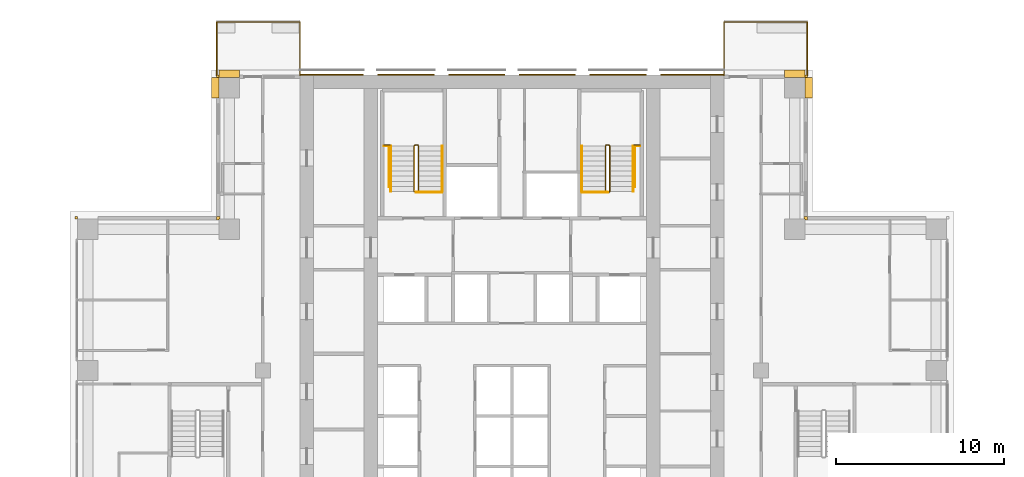
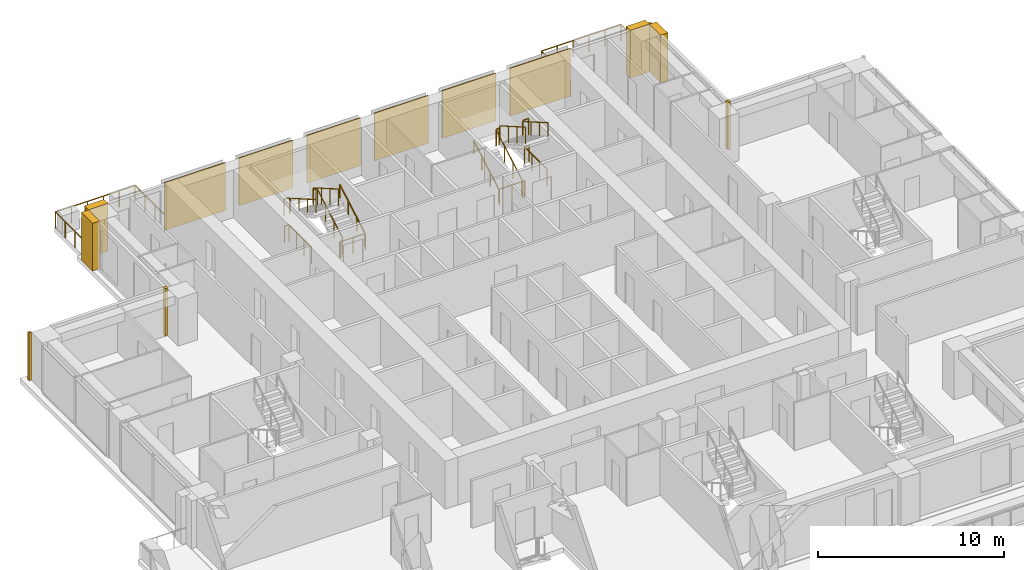
# One storey, part 17 of 18: 15 coverings, 14 railings.
"""IFC4 building model written with IfcOpenShell, lengths in metres."""

import ifcopenshell
import ifcopenshell.guid

model = None  # the IFC model being written
_history = None  # IfcOwnerHistory: only IFC2X3 demands one
_inside = {}  # id of a spatial element -> (the spatial element, [elements in it])
_under = {}  # id of a project, library or spatial element -> (it, [spatial elements below it])
_declared = {}  # id of a project -> (the project, [libraries it declares])
_typed = {}  # id of a type object -> (the type object, [elements of that type])
_made_of = {}  # id of a material, layer set ... -> (it, [elements and type objects made of it])


def new_model(schema):
    """Start an empty IFC model of exactly this schema.

    Asked for "IFC4X3", IfcOpenShell would pick the latest addendum, in which some entities
    have other attributes; the version numbers below select the first issue.
    IFC2X3 requires an IfcOwnerHistory on every rooted entity: one is made here for all.
    """
    global model, _history
    if schema == "IFC4X3":
        model = ifcopenshell.file(schema_version=(4, 3, 0, 0))
    else:
        model = ifcopenshell.file(schema=schema)
    _inside.clear()
    _under.clear()
    _declared.clear()
    _typed.clear()
    _made_of.clear()
    _history = None
    if model.schema == "IFC2X3":
        org = make("IfcOrganization", Name="unknown")
        user = make(
            "IfcPersonAndOrganization",
            ThePerson=make("IfcPerson", FamilyName="unknown"),
            TheOrganization=org,
        )
        app = make(
            "IfcApplication",
            ApplicationDeveloper=org,
            Version="unknown",
            ApplicationFullName="unknown",
            ApplicationIdentifier="unknown",
        )
        _history = make(
            "IfcOwnerHistory",
            OwningUser=user,
            OwningApplication=app,
            ChangeAction="ADDED",
            CreationDate=0,
        )
    return model


def make(cls, **values):
    """One entity of the class cls with the attributes given. An attribute that is None is left unset."""
    return model.create_entity(
        cls, **{name: value for name, value in values.items() if value is not None}
    )


def rooted(cls, **values):
    """An entity with a GlobalId (a new one), such as an element, a storey or a relation."""
    return make(cls, GlobalId=ifcopenshell.guid.new(), OwnerHistory=_history, **values)


def si_unit(unit_type, name, prefix=None):
    """IfcSIUnit, for example si_unit("LENGTHUNIT", "METRE", prefix="MILLI")."""
    return make("IfcSIUnit", UnitType=unit_type, Prefix=prefix, Name=name)


def assignment(units):
    """IfcUnitAssignment: the units of a project."""
    return None if units is None else make("IfcUnitAssignment", Units=units)


def point(xyz):
    """IfcCartesianPoint."""
    return None if xyz is None else make("IfcCartesianPoint", Coordinates=xyz)


def direction(xyz):
    """IfcDirection."""
    return None if xyz is None else make("IfcDirection", DirectionRatios=xyz)


def frame(location, z_axis=None, x_axis=None):
    """IfcAxis2Placement3D, a coordinate frame: its origin and axes. An axis left out is left unset."""
    return make(
        "IfcAxis2Placement3D",
        Location=point(location),
        Axis=direction(z_axis),
        RefDirection=direction(x_axis),
    )


def frame_2d(location, x_axis=None):
    """IfcAxis2Placement2D, a coordinate frame in the plane: its origin and x axis."""
    return make(
        "IfcAxis2Placement2D", Location=point(location), RefDirection=direction(x_axis)
    )


def origin():
    """The frame at (0, 0, 0) with its axes left unset."""
    return frame((0.0, 0.0, 0.0))


def origin_2d():
    """The frame at (0, 0) in the plane with its x axis left unset."""
    return frame_2d((0.0, 0.0))


def place(relative_to, where):
    """IfcLocalPlacement: puts the frame where relative to a parent placement (None: the world)."""
    return make(
        "IfcLocalPlacement", PlacementRelTo=relative_to, RelativePlacement=where
    )


def context(
    kind, dimensions, precision=None, world=None, true_north=None, identifier=None
):
    """IfcGeometricRepresentationContext, for example the 3D "Model" context."""
    return make(
        "IfcGeometricRepresentationContext",
        ContextIdentifier=identifier,
        ContextType=kind,
        CoordinateSpaceDimension=dimensions,
        Precision=precision,
        WorldCoordinateSystem=world,
        TrueNorth=true_north,
    )


def subcontext(parent, identifier, kind, view, scale=None):
    """IfcGeometricRepresentationSubContext, for example "Body" below "Model"."""
    return make(
        "IfcGeometricRepresentationSubContext",
        ContextIdentifier=identifier,
        ContextType=kind,
        ParentContext=parent,
        TargetScale=scale,
        TargetView=view,
    )


def project(units=None, contexts=None):
    """IfcProject with its units and contexts."""
    return rooted(
        "IfcProject",
        Name="project",
        RepresentationContexts=contexts,
        UnitsInContext=assignment(units),
    )


def spatial(cls, under=None, at=None, **own):
    """A site, building, storey or space (cls), placed at a placement, below another one or the project."""
    s = rooted(cls, ObjectPlacement=at, **own)
    if under is not None:
        _under.setdefault(under.id(), (under, []))[1].append(s)
    return s


def polyline(points):
    """IfcPolyline through the points."""
    return make("IfcPolyline", Points=[point(p) for p in points])


def profile(cls, at=None, kind="AREA", **sizes):
    """A parametric profile (cls). Its sizes go by their IFC names, for example OverallWidth=200.0."""
    return make(cls, ProfileType=kind, Position=at, **sizes)


def rectangle(**sizes):
    """IfcRectangleProfileDef."""
    return profile("IfcRectangleProfileDef", **sizes)


def outline(outer, holes=None, kind="AREA"):
    """IfcArbitraryClosedProfileDef: a profile drawn as a closed curve; with holes, ...WithVoids."""
    if holes is None:
        return make("IfcArbitraryClosedProfileDef", ProfileType=kind, OuterCurve=outer)
    return make(
        "IfcArbitraryProfileDefWithVoids",
        ProfileType=kind,
        OuterCurve=outer,
        InnerCurves=holes,
    )


def extrude(swept, where, along, depth):
    """IfcExtrudedAreaSolid: the profile swept, set in the frame where, extruded along a direction by depth."""
    return make(
        "IfcExtrudedAreaSolid",
        SweptArea=swept,
        Position=where,
        ExtrudedDirection=direction(along),
        Depth=depth,
    )


def shape(context_of_items, identifier, shape_type, items):
    """IfcShapeRepresentation: the items that make up one representation, for example the "Body"."""
    return make(
        "IfcShapeRepresentation",
        ContextOfItems=context_of_items,
        RepresentationIdentifier=identifier,
        RepresentationType=shape_type,
        Items=items,
    )


def material(Name=None, Category=None):
    """IfcMaterial."""
    return make("IfcMaterial", Name=Name, Category=Category)


def made_of(thing, what):
    """Note that an element or type object is made of a material, layer set ...; save() writes the relation."""
    if what is not None:
        _made_of.setdefault(what.id(), (what, []))[1].append(thing)
    return thing


def type_object(cls, material=None, **own):
    """A type object (cls), such as IfcWallType, which elements share."""
    return made_of(rooted(cls, **own), material)


def element(
    cls,
    number,
    at=None,
    inside=None,
    cuts=None,
    type_object=None,
    material=None,
    context=None,
    identifier="Body",
    shape_type=None,
    held_by="IfcProductDefinitionShape",
    body=None,
    shapes=None,
    **own,
):
    """One element of the class cls, such as IfcWall. Its Tag is "e" and its number.

    at: its placement. inside: the storey or other place that contains it. cuts: it is an
    opening in that element (IfcRelVoidsElement). A single representation is given by context,
    identifier, shape_type and body (its items); several are given by shapes. held_by: the class
    of the entity that holds the representations. save() writes the other relations.
    """
    e = rooted(cls, Tag="e%d" % number, ObjectPlacement=at, **own)
    if body is not None:
        shapes = [shape(context, identifier, shape_type, body)]
    if shapes is not None:
        e.Representation = make(held_by, Representations=shapes)
    if inside is not None:
        _inside.setdefault(inside.id(), (inside, []))[1].append(e)
    if cuts is not None:
        rooted(
            "IfcRelVoidsElement", RelatingBuildingElement=cuts, RelatedOpeningElement=e
        )
    if type_object is not None:
        _typed.setdefault(type_object.id(), (type_object, []))[1].append(e)
    return made_of(e, material)


def aggregate(whole, parts):
    """IfcRelAggregates: a whole, such as a stair, and the parts it consists of."""
    return rooted("IfcRelAggregates", RelatingObject=whole, RelatedObjects=parts)


def save(model, path):
    """Write the relations noted so far, then the file.

    IfcRelAggregates (storeys below a building ...), IfcRelContainedInSpatialStructure (elements
    in a storey), IfcRelDefinesByType, IfcRelAssociatesMaterial and IfcRelDeclares: one each for
    every whole, place, type object, material and project.
    """
    for whole, parts in _under.values():
        aggregate(whole, parts)
    for where, things in _inside.values():
        rooted(
            "IfcRelContainedInSpatialStructure",
            RelatedElements=things,
            RelatingStructure=where,
        )
    for kind, things in _typed.values():
        rooted("IfcRelDefinesByType", RelatedObjects=things, RelatingType=kind)
    for what, things in _made_of.values():
        rooted("IfcRelAssociatesMaterial", RelatedObjects=things, RelatingMaterial=what)
    for by, libraries in _declared.values():
        rooted("IfcRelDeclares", RelatingContext=by, RelatedDefinitions=libraries)
    model.write(path)


model = new_model("IFC4")

# Units and contexts
model_context = context("Model", 3, precision=1e-05, world=origin(), true_north=direction((0.0, 1.0)))
body_context = subcontext(model_context, "Body", "Model", "MODEL_VIEW")
ifc_project = project(units=[si_unit("LENGTHUNIT", "METRE"), si_unit("AREAUNIT", "SQUARE_METRE"), si_unit("VOLUMEUNIT", "CUBIC_METRE"), si_unit("PLANEANGLEUNIT", "RADIAN"), si_unit("MASSUNIT", "GRAM", prefix="KILO")], contexts=[model_context])

# Site, building, storey
site_placement = place(None, origin())
site = spatial("IfcSite", under=ifc_project, at=site_placement, CompositionType="ELEMENT")
building_placement = place(site_placement, origin())
building = spatial("IfcBuilding", under=site, at=building_placement, Name="Vermilion Ogive Tower", CompositionType="ELEMENT")
storey_placement = place(building_placement, frame((0.0, 0.0, 94.199951171875)))
storey = spatial("IfcBuildingStorey", under=building, at=storey_placement, Name="L23", CompositionType="ELEMENT", Elevation=94.199951171875)

# Railings
ifc_material_1 = material(Name="Stainless steel and glass", Category="steel")
railing_type_1 = type_object("IfcRailingType", Name="Balcony guard", PredefinedType="GUARDRAIL", material=ifc_material_1)
railing_1_placement = place(storey_placement, frame((17.550048828125, 21.75, -0.0400390625)))
element("IfcRailing", 1, at=railing_1_placement, inside=storey, type_object=railing_type_1, Name="Guard N101", PredefinedType="GUARDRAIL", context=body_context, shape_type="SweptSolid", body=[
    extrude(rectangle(XDim=0.048095703125, YDim=0.048095703125, at=origin_2d()), frame((0.0, 0.0, 1.076171875), z_axis=(0.0, 1.0, 0.0), x_axis=(-1.0, 0.0, 0.0)), (0.0, 0.0, 1.0), 3.159912109375),
    extrude(rectangle(XDim=0.048095703125, YDim=0.048095703125, at=origin_2d()), frame((0.0, 3.159912109375, 1.076171875), z_axis=(-1.0, 0.0, 0.0), x_axis=(0.0, -1.0, 0.0)), (0.0, 0.0, 1.0), 4.949951171875),
    extrude(rectangle(XDim=0.048095703125, YDim=0.048095703125, at=origin_2d()), frame((-4.949951171875, 3.159912109375, 1.076171875), z_axis=(0.0, -1.0, 0.0), x_axis=(1.0, 0.0, 0.0)), (0.0, 0.0, 1.0), 3.159912109375),
    extrude(rectangle(XDim=0.0419921875, YDim=0.0419921875, at=origin_2d()), origin(), (0.0, 0.0, 1.0), 1.052001953125),
    extrude(rectangle(XDim=0.0419921875, YDim=0.0419921875, at=origin_2d()), frame((0.0, 1.05322265625, 0.0)), (0.0, 0.0, 1.0), 1.052001953125),
    extrude(rectangle(XDim=0.0419921875, YDim=0.0419921875, at=origin_2d()), frame((0.0, 2.106689453125, 0.0)), (0.0, 0.0, 1.0), 1.052001953125),
    extrude(rectangle(XDim=0.0419921875, YDim=0.0419921875, at=origin_2d()), frame((0.0, 3.159912109375, 0.0)), (0.0, 0.0, 1.0), 1.052001953125),
    extrude(rectangle(XDim=0.0419921875, YDim=0.0419921875, at=origin_2d()), frame((-0.989990234375, 3.159912109375, 0.0)), (0.0, 0.0, 1.0), 1.052001953125),
    extrude(rectangle(XDim=0.0419921875, YDim=0.0419921875, at=origin_2d()), frame((-1.97998046875, 3.159912109375, 0.0)), (0.0, 0.0, 1.0), 1.052001953125),
    extrude(rectangle(XDim=0.0419921875, YDim=0.0419921875, at=origin_2d()), frame((-2.969970703125, 3.159912109375, 0.0)), (0.0, 0.0, 1.0), 1.052001953125),
    extrude(rectangle(XDim=0.0419921875, YDim=0.0419921875, at=origin_2d()), frame((-3.9599609375, 3.159912109375, 0.0)), (0.0, 0.0, 1.0), 1.052001953125),
    extrude(rectangle(XDim=0.0419921875, YDim=0.0419921875, at=origin_2d()), frame((-4.949951171875, 3.159912109375, 0.0)), (0.0, 0.0, 1.0), 1.052001953125),
    extrude(rectangle(XDim=0.0419921875, YDim=0.0419921875, at=origin_2d()), frame((-4.949951171875, 2.106689453125, 0.0)), (0.0, 0.0, 1.0), 1.052001953125),
    extrude(rectangle(XDim=0.0419921875, YDim=0.0419921875, at=origin_2d()), frame((-4.949951171875, 1.05322265625, 0.0)), (0.0, 0.0, 1.0), 1.052001953125),
    extrude(rectangle(XDim=0.0419921875, YDim=0.0419921875, at=origin_2d()), frame((-4.949951171875, 0.0, 0.0)), (0.0, 0.0, 1.0), 1.052001953125),
])
railing_2_placement = place(storey_placement, frame((-12.60009765625, 21.75, -0.0400390625)))
element("IfcRailing", 2, at=railing_2_placement, inside=storey, type_object=railing_type_1, Name="Guard N201", PredefinedType="GUARDRAIL", context=body_context, shape_type="SweptSolid", body=[
    extrude(rectangle(XDim=0.048095703125, YDim=0.048095703125, at=origin_2d()), frame((0.0, 0.0, 1.076171875), z_axis=(0.0, 1.0, 0.0), x_axis=(-1.0, 0.0, 0.0)), (0.0, 0.0, 1.0), 3.159912109375),
    extrude(rectangle(XDim=0.048095703125, YDim=0.048095703125, at=origin_2d()), frame((0.0, 3.159912109375, 1.076171875), z_axis=(-1.0, 0.0, 0.0), x_axis=(0.0, -1.0, 0.0)), (0.0, 0.0, 1.0), 4.949951171875),
    extrude(rectangle(XDim=0.048095703125, YDim=0.048095703125, at=origin_2d()), frame((-4.949951171875, 3.159912109375, 1.076171875), z_axis=(0.0, -1.0, 0.0), x_axis=(1.0, 0.0, 0.0)), (0.0, 0.0, 1.0), 3.159912109375),
    extrude(rectangle(XDim=0.0419921875, YDim=0.0419921875, at=origin_2d()), origin(), (0.0, 0.0, 1.0), 1.052001953125),
    extrude(rectangle(XDim=0.0419921875, YDim=0.0419921875, at=origin_2d()), frame((0.0, 1.05322265625, 0.0)), (0.0, 0.0, 1.0), 1.052001953125),
    extrude(rectangle(XDim=0.0419921875, YDim=0.0419921875, at=origin_2d()), frame((0.0, 2.106689453125, 0.0)), (0.0, 0.0, 1.0), 1.052001953125),
    extrude(rectangle(XDim=0.0419921875, YDim=0.0419921875, at=origin_2d()), frame((0.0, 3.159912109375, 0.0)), (0.0, 0.0, 1.0), 1.052001953125),
    extrude(rectangle(XDim=0.0419921875, YDim=0.0419921875, at=origin_2d()), frame((-0.989990234375, 3.159912109375, 0.0)), (0.0, 0.0, 1.0), 1.052001953125),
    extrude(rectangle(XDim=0.0419921875, YDim=0.0419921875, at=origin_2d()), frame((-1.97998046875, 3.159912109375, 0.0)), (0.0, 0.0, 1.0), 1.052001953125),
    extrude(rectangle(XDim=0.0419921875, YDim=0.0419921875, at=origin_2d()), frame((-2.969970703125, 3.159912109375, 0.0)), (0.0, 0.0, 1.0), 1.052001953125),
    extrude(rectangle(XDim=0.0419921875, YDim=0.0419921875, at=origin_2d()), frame((-3.9599609375, 3.159912109375, 0.0)), (0.0, 0.0, 1.0), 1.052001953125),
    extrude(rectangle(XDim=0.0419921875, YDim=0.0419921875, at=origin_2d()), frame((-4.949951171875, 3.159912109375, 0.0)), (0.0, 0.0, 1.0), 1.052001953125),
    extrude(rectangle(XDim=0.0419921875, YDim=0.0419921875, at=origin_2d()), frame((-4.949951171875, 2.106689453125, 0.0)), (0.0, 0.0, 1.0), 1.052001953125),
    extrude(rectangle(XDim=0.0419921875, YDim=0.0419921875, at=origin_2d()), frame((-4.949951171875, 1.05322265625, 0.0)), (0.0, 0.0, 1.0), 1.052001953125),
    extrude(rectangle(XDim=0.0419921875, YDim=0.0419921875, at=origin_2d()), frame((-4.949951171875, 0.0, 0.0)), (0.0, 0.0, 1.0), 1.052001953125),
])
ifc_material_2 = material(Name="Steel S355 painted", Category="steel")
railing_type_2 = type_object("IfcRailingType", Name="Stair guard 1100", PredefinedType="GUARDRAIL", material=ifc_material_2)
railing_3_placement = place(storey_placement, frame((-5.75, 14.800048828125, 0.0)))
element("IfcRailing", 3, at=railing_3_placement, inside=storey, type_object=railing_type_2, Name="L23 ST1 stair guard 4", PredefinedType="GUARDRAIL", context=body_context, shape_type="SweptSolid", body=[
    extrude(rectangle(XDim=0.048095703125, YDim=0.048095703125, at=origin_2d()), frame((0.0, 0.0, 1.076171875), z_axis=(1.0, 0.0, 0.0), x_axis=(0.0, 1.0, 0.0)), (0.0, 0.0, 1.0), 0.14990234375),
    extrude(rectangle(XDim=0.048095703125, YDim=0.048095703125, at=origin_2d()), frame((0.14990234375, 0.0, 1.076171875), z_axis=(0.268277960024, 0.268277960024, 0.925231793839), x_axis=(-0.707106781187, 0.707106781187, 0.0)), (0.0, 0.0, 1.0), 0.1865234375),
    extrude(rectangle(XDim=0.048095703125, YDim=0.048095703125, at=origin_2d()), frame((0.199951171875, 0.050048828125, 1.24853515625), z_axis=(0.0, 0.866903762492, 0.498475542607), x_axis=(-1.0, 0.0, 0.0)), (0.0, 0.0, 1.0), 3.114501953125),
    extrude(rectangle(XDim=0.048095703125, YDim=0.048095703125, at=origin_2d()), frame((0.199951171875, 2.75, 2.80126953125), z_axis=(-0.707106781187, 0.707106781187, 0.0), x_axis=(-0.707106781187, -0.707106781187, 0.0)), (0.0, 0.0, 1.0), 0.07080078125),
    extrude(rectangle(XDim=0.048095703125, YDim=0.048095703125, at=origin_2d()), frame((0.14990234375, 2.800048828125, 2.80126953125), z_axis=(-1.0, 0.0, 0.0), x_axis=(0.0, -1.0, 0.0)), (0.0, 0.0, 1.0), 0.14990234375),
    extrude(rectangle(XDim=0.048095703125, YDim=0.048095703125, at=origin_2d()), frame((0.0, 2.800048828125, 2.80126953125), z_axis=(-0.268603158521, -0.268603158521, 0.925043072762), x_axis=(0.707106781187, -0.707106781187, 0.0)), (0.0, 0.0, 1.0), 0.186279296875),
    extrude(rectangle(XDim=0.048095703125, YDim=0.048095703125, at=origin_2d()), frame((-0.050048828125, 2.75, 2.9736328125), z_axis=(0.0, -0.866903762492, 0.498475542607), x_axis=(1.0, 0.0, 0.0)), (0.0, 0.0, 1.0), 3.114501953125),
    extrude(rectangle(XDim=0.0419921875, YDim=0.0419921875, at=origin_2d()), origin(), (0.0, 0.0, 1.0), 1.052001953125),
    extrude(rectangle(XDim=0.0419921875, YDim=0.0419921875, at=origin_2d()), frame((0.14990234375, 0.0, 0.0)), (0.0, 0.0, 1.0), 1.052001953125),
    extrude(rectangle(XDim=0.0419921875, YDim=0.0419921875, at=origin_2d()), frame((0.199951171875, 0.050048828125, 0.172607421875)), (0.0, 0.0, 1.0), 1.052001953125),
    extrude(rectangle(XDim=0.0419921875, YDim=0.0419921875, at=origin_2d()), frame((0.199951171875, 0.949951171875, 0.690185546875)), (0.0, 0.0, 1.0), 1.052001953125),
    extrude(rectangle(XDim=0.0419921875, YDim=0.0419921875, at=origin_2d()), frame((0.199951171875, 1.85009765625, 1.20751953125)), (0.0, 0.0, 1.0), 1.052001953125),
    extrude(rectangle(XDim=0.0419921875, YDim=0.0419921875, at=origin_2d()), frame((0.199951171875, 2.75, 1.72509765625)), (0.0, 0.0, 1.0), 1.052001953125),
    extrude(rectangle(XDim=0.0419921875, YDim=0.0419921875, at=origin_2d()), frame((0.14990234375, 2.800048828125, 1.72509765625)), (0.0, 0.0, 1.0), 1.052001953125),
    extrude(rectangle(XDim=0.0419921875, YDim=0.0419921875, at=origin_2d()), frame((0.0, 2.800048828125, 1.72509765625)), (0.0, 0.0, 1.0), 1.052001953125),
    extrude(rectangle(XDim=0.0419921875, YDim=0.0419921875, at=origin_2d()), frame((-0.050048828125, 2.75, 1.8974609375)), (0.0, 0.0, 1.0), 1.052001953125),
    extrude(rectangle(XDim=0.0419921875, YDim=0.0419921875, at=origin_2d()), frame((-0.050048828125, 1.85009765625, 2.4150390625)), (0.0, 0.0, 1.0), 1.052001953125),
    extrude(rectangle(XDim=0.0419921875, YDim=0.0419921875, at=origin_2d()), frame((-0.050048828125, 0.949951171875, 2.932373046875)), (0.0, 0.0, 1.0), 1.052001953125),
    extrude(rectangle(XDim=0.0419921875, YDim=0.0419921875, at=origin_2d()), frame((-0.050048828125, 0.050048828125, 3.449951171875)), (0.0, 0.0, 1.0), 1.052001953125),
])
railing_4_placement = place(storey_placement, frame((5.75, 14.800048828125, 0.0)))
element("IfcRailing", 4, at=railing_4_placement, inside=storey, type_object=railing_type_2, Name="L23 ST2 stair guard 4", PredefinedType="GUARDRAIL", context=body_context, shape_type="SweptSolid", body=[
    extrude(rectangle(XDim=0.048095703125, YDim=0.048095703125, at=origin_2d()), frame((0.0, 0.0, 1.076171875), z_axis=(-1.0, 0.0, 0.0), x_axis=(0.0, -1.0, 0.0)), (0.0, 0.0, 1.0), 0.14990234375),
    extrude(rectangle(XDim=0.048095703125, YDim=0.048095703125, at=origin_2d()), frame((-0.14990234375, 0.0, 1.076171875), z_axis=(-0.268277960024, 0.268277960024, 0.925231793839), x_axis=(-0.707106781187, -0.707106781187, 0.0)), (0.0, 0.0, 1.0), 0.1865234375),
    extrude(rectangle(XDim=0.048095703125, YDim=0.048095703125, at=origin_2d()), frame((-0.199951171875, 0.050048828125, 1.24853515625), z_axis=(0.0, 0.866903762492, 0.498475542607), x_axis=(-1.0, 0.0, 0.0)), (0.0, 0.0, 1.0), 3.114501953125),
    extrude(rectangle(XDim=0.048095703125, YDim=0.048095703125, at=origin_2d()), frame((-0.199951171875, 2.75, 2.80126953125), z_axis=(0.707106781187, 0.707106781187, 0.0), x_axis=(-0.707106781187, 0.707106781187, 0.0)), (0.0, 0.0, 1.0), 0.07080078125),
    extrude(rectangle(XDim=0.048095703125, YDim=0.048095703125, at=origin_2d()), frame((-0.14990234375, 2.800048828125, 2.80126953125), z_axis=(1.0, 0.0, 0.0), x_axis=(0.0, 1.0, 0.0)), (0.0, 0.0, 1.0), 0.14990234375),
    extrude(rectangle(XDim=0.048095703125, YDim=0.048095703125, at=origin_2d()), frame((0.0, 2.800048828125, 2.80126953125), z_axis=(0.268603158521, -0.268603158521, 0.925043072762), x_axis=(0.707106781187, 0.707106781187, 0.0)), (0.0, 0.0, 1.0), 0.186279296875),
    extrude(rectangle(XDim=0.048095703125, YDim=0.048095703125, at=origin_2d()), frame((0.050048828125, 2.75, 2.9736328125), z_axis=(0.0, -0.866903762492, 0.498475542607), x_axis=(1.0, 0.0, 0.0)), (0.0, 0.0, 1.0), 3.114501953125),
    extrude(rectangle(XDim=0.0419921875, YDim=0.0419921875, at=origin_2d()), origin(), (0.0, 0.0, 1.0), 1.052001953125),
    extrude(rectangle(XDim=0.0419921875, YDim=0.0419921875, at=origin_2d()), frame((-0.14990234375, 0.0, 0.0)), (0.0, 0.0, 1.0), 1.052001953125),
    extrude(rectangle(XDim=0.0419921875, YDim=0.0419921875, at=origin_2d()), frame((-0.199951171875, 0.050048828125, 0.172607421875)), (0.0, 0.0, 1.0), 1.052001953125),
    extrude(rectangle(XDim=0.0419921875, YDim=0.0419921875, at=origin_2d()), frame((-0.199951171875, 0.949951171875, 0.690185546875)), (0.0, 0.0, 1.0), 1.052001953125),
    extrude(rectangle(XDim=0.0419921875, YDim=0.0419921875, at=origin_2d()), frame((-0.199951171875, 1.85009765625, 1.20751953125)), (0.0, 0.0, 1.0), 1.052001953125),
    extrude(rectangle(XDim=0.0419921875, YDim=0.0419921875, at=origin_2d()), frame((-0.199951171875, 2.75, 1.72509765625)), (0.0, 0.0, 1.0), 1.052001953125),
    extrude(rectangle(XDim=0.0419921875, YDim=0.0419921875, at=origin_2d()), frame((-0.14990234375, 2.800048828125, 1.72509765625)), (0.0, 0.0, 1.0), 1.052001953125),
    extrude(rectangle(XDim=0.0419921875, YDim=0.0419921875, at=origin_2d()), frame((0.0, 2.800048828125, 1.72509765625)), (0.0, 0.0, 1.0), 1.052001953125),
    extrude(rectangle(XDim=0.0419921875, YDim=0.0419921875, at=origin_2d()), frame((0.050048828125, 2.75, 1.8974609375)), (0.0, 0.0, 1.0), 1.052001953125),
    extrude(rectangle(XDim=0.0419921875, YDim=0.0419921875, at=origin_2d()), frame((0.050048828125, 1.85009765625, 2.4150390625)), (0.0, 0.0, 1.0), 1.052001953125),
    extrude(rectangle(XDim=0.0419921875, YDim=0.0419921875, at=origin_2d()), frame((0.050048828125, 0.949951171875, 2.932373046875)), (0.0, 0.0, 1.0), 1.052001953125),
    extrude(rectangle(XDim=0.0419921875, YDim=0.0419921875, at=origin_2d()), frame((0.050048828125, 0.050048828125, 3.449951171875)), (0.0, 0.0, 1.0), 1.052001953125),
])
for number, where, name in (
    (5, (-7.60009765625, 17.60009765625, 1.72509765625), "L23 landing guard"),
    (6, (7.25, 17.60009765625, 1.72509765625), "L23 landing guard"),
):
    element("IfcRailing", number, at=place(storey_placement, frame(where)), inside=storey, type_object=railing_type_2, Name=name, PredefinedType="GUARDRAIL", context=body_context, shape_type="SweptSolid", body=[
        extrude(rectangle(XDim=0.048095703125, YDim=0.048095703125, at=origin_2d()), frame((0.0, 0.0, 1.076171875), z_axis=(1.0, 0.0, 0.0), x_axis=(0.0, 1.0, 0.0)), (0.0, 0.0, 1.0), 0.35009765625),
        extrude(rectangle(XDim=0.0419921875, YDim=0.0419921875, at=origin_2d()), origin(), (0.0, 0.0, 1.0), 1.052001953125),
        extrude(rectangle(XDim=0.0419921875, YDim=0.0419921875, at=origin_2d()), frame((0.35009765625, 0.0, 0.0)), (0.0, 0.0, 1.0), 1.052001953125),
    ])
railing_5_placement = place(storey_placement, frame((-4.159912109375, 14.7900390625, 0.0)))
element("IfcRailing", 7, at=railing_5_placement, inside=storey, type_object=railing_type_2, Name="L23 stair opening guard", PredefinedType="GUARDRAIL", context=body_context, shape_type="SweptSolid", body=[
    extrude(rectangle(XDim=0.048095703125, YDim=0.048095703125, at=origin_2d()), frame((0.0, 0.0, 1.076171875), z_axis=(-1.0, 0.0, 0.0), x_axis=(0.0, -1.0, 0.0)), (0.0, 0.0, 1.0), 1.5400390625),
    extrude(rectangle(XDim=0.0419921875, YDim=0.0419921875, at=origin_2d()), origin(), (0.0, 0.0, 1.0), 1.052001953125),
    extrude(rectangle(XDim=0.0419921875, YDim=0.0419921875, at=origin_2d()), frame((-0.77001953125, 0.0, 0.0)), (0.0, 0.0, 1.0), 1.052001953125),
    extrude(rectangle(XDim=0.0419921875, YDim=0.0419921875, at=origin_2d()), frame((-1.5400390625, 0.0, 0.0)), (0.0, 0.0, 1.0), 1.052001953125),
])
railing_6_placement = place(storey_placement, frame((-7.3095703125, 15.11865234375, 0.0)))
element("IfcRailing", 8, at=railing_6_placement, inside=storey, type_object=railing_type_2, Name="L23 stair opening guard", PredefinedType="GUARDRAIL", context=body_context, shape_type="SweptSolid", body=[
    extrude(rectangle(XDim=0.048095703125, YDim=0.048095703125, at=origin_2d()), frame((0.0, 0.0, 1.076171875), z_axis=(0.0, 1.0, 0.0), x_axis=(-1.0, 0.0, 0.0)), (0.0, 0.0, 1.0), 2.42431640625),
    extrude(rectangle(XDim=0.048095703125, YDim=0.048095703125, at=origin_2d()), frame((0.0, 2.42431640625, 1.076171875), z_axis=(-1.0, 0.0, 0.0), x_axis=(0.0, -1.0, 0.0)), (0.0, 0.0, 1.0), 0.2900390625),
    extrude(rectangle(XDim=0.0419921875, YDim=0.0419921875, at=origin_2d()), origin(), (0.0, 0.0, 1.0), 1.052001953125),
    extrude(rectangle(XDim=0.0419921875, YDim=0.0419921875, at=origin_2d()), frame((0.0, 0.80810546875, 0.0)), (0.0, 0.0, 1.0), 1.052001953125),
    extrude(rectangle(XDim=0.0419921875, YDim=0.0419921875, at=origin_2d()), frame((0.0, 1.6162109375, 0.0)), (0.0, 0.0, 1.0), 1.052001953125),
    extrude(rectangle(XDim=0.0419921875, YDim=0.0419921875, at=origin_2d()), frame((0.0, 2.42431640625, 0.0)), (0.0, 0.0, 1.0), 1.052001953125),
    extrude(rectangle(XDim=0.0419921875, YDim=0.0419921875, at=origin_2d()), frame((-0.2900390625, 2.42431640625, 0.0)), (0.0, 0.0, 1.0), 1.052001953125),
])
railing_7_placement = place(storey_placement, frame((7.599609375, 17.54296875, 0.0)))
element("IfcRailing", 9, at=railing_7_placement, inside=storey, type_object=railing_type_2, Name="L23 stair opening guard", PredefinedType="GUARDRAIL", context=body_context, shape_type="SweptSolid", body=[
    extrude(rectangle(XDim=0.048095703125, YDim=0.048095703125, at=origin_2d()), frame((0.0, 0.0, 1.076171875), z_axis=(-1.0, 0.0, 0.0), x_axis=(0.0, -1.0, 0.0)), (0.0, 0.0, 1.0), 0.2900390625),
    extrude(rectangle(XDim=0.048095703125, YDim=0.048095703125, at=origin_2d()), frame((-0.2900390625, 0.0, 1.076171875), z_axis=(0.0, -1.0, 0.0), x_axis=(1.0, 0.0, 0.0)), (0.0, 0.0, 1.0), 2.42431640625),
    extrude(rectangle(XDim=0.0419921875, YDim=0.0419921875, at=origin_2d()), origin(), (0.0, 0.0, 1.0), 1.052001953125),
    extrude(rectangle(XDim=0.0419921875, YDim=0.0419921875, at=origin_2d()), frame((-0.2900390625, 0.0, 0.0)), (0.0, 0.0, 1.0), 1.052001953125),
    extrude(rectangle(XDim=0.0419921875, YDim=0.0419921875, at=origin_2d()), frame((-0.2900390625, -0.80810546875, 0.0)), (0.0, 0.0, 1.0), 1.052001953125),
    extrude(rectangle(XDim=0.0419921875, YDim=0.0419921875, at=origin_2d()), frame((-0.2900390625, -1.6162109375, 0.0)), (0.0, 0.0, 1.0), 1.052001953125),
    extrude(rectangle(XDim=0.0419921875, YDim=0.0419921875, at=origin_2d()), frame((-0.2900390625, -2.42431640625, 0.0)), (0.0, 0.0, 1.0), 1.052001953125),
])
railing_8_placement = place(storey_placement, frame((5.699951171875, 14.7900390625, 0.0)))
element("IfcRailing", 10, at=railing_8_placement, inside=storey, type_object=railing_type_2, Name="L23 stair opening guard", PredefinedType="GUARDRAIL", context=body_context, shape_type="SweptSolid", body=[
    extrude(rectangle(XDim=0.048095703125, YDim=0.048095703125, at=origin_2d()), frame((0.0, 0.0, 1.076171875), z_axis=(-1.0, 0.0, 0.0), x_axis=(0.0, -1.0, 0.0)), (0.0, 0.0, 1.0), 1.5400390625),
    extrude(rectangle(XDim=0.0419921875, YDim=0.0419921875, at=origin_2d()), origin(), (0.0, 0.0, 1.0), 1.052001953125),
    extrude(rectangle(XDim=0.0419921875, YDim=0.0419921875, at=origin_2d()), frame((-0.77001953125, 0.0, 0.0)), (0.0, 0.0, 1.0), 1.052001953125),
    extrude(rectangle(XDim=0.0419921875, YDim=0.0419921875, at=origin_2d()), frame((-1.5400390625, 0.0, 0.0)), (0.0, 0.0, 1.0), 1.052001953125),
])
ifc_material_3 = material(Name="Stainless steel", Category="steel")
railing_type_3 = type_object("IfcRailingType", Name="Stair handrail 900", PredefinedType="HANDRAIL", material=ifc_material_3)
railing_9_placement = place(storey_placement, frame((-4.14990234375, 14.85009765625, 0.172607421875)))
element("IfcRailing", 11, at=railing_9_placement, inside=storey, type_object=railing_type_3, Name="L23 ST1 stair handrail 1", PredefinedType="HANDRAIL", context=body_context, shape_type="SweptSolid", body=[
    extrude(rectangle(XDim=0.048095703125, YDim=0.048095703125, at=origin_2d()), frame((0.0, 0.0, 0.8759765625), z_axis=(0.0, 0.866903762492, 0.498475542607), x_axis=(-1.0, 0.0, 0.0)), (0.0, 0.0, 1.0), 3.114501953125),
    extrude(rectangle(XDim=0.0419921875, YDim=0.0419921875, at=origin_2d()), origin(), (0.0, 0.0, 1.0), 0.851806640625),
    extrude(rectangle(XDim=0.0419921875, YDim=0.0419921875, at=origin_2d()), frame((0.0, 0.89990234375, 0.517578125)), (0.0, 0.0, 1.0), 0.851806640625),
    extrude(rectangle(XDim=0.0419921875, YDim=0.0419921875, at=origin_2d()), frame((0.0, 1.800048828125, 1.034912109375)), (0.0, 0.0, 1.0), 0.851806640625),
    extrude(rectangle(XDim=0.0419921875, YDim=0.0419921875, at=origin_2d()), frame((0.0, 2.699951171875, 1.552490234375)), (0.0, 0.0, 1.0), 0.851806640625),
])
railing_10_placement = place(storey_placement, frame((-7.199951171875, 17.550048828125, 1.8974609375)))
element("IfcRailing", 12, at=railing_10_placement, inside=storey, type_object=railing_type_3, Name="L23 ST1 stair handrail 2", PredefinedType="HANDRAIL", context=body_context, shape_type="SweptSolid", body=[
    extrude(rectangle(XDim=0.048095703125, YDim=0.048095703125, at=origin_2d()), frame((0.0, 0.0, 0.8759765625), z_axis=(0.0, -0.866903762492, 0.498475542607), x_axis=(1.0, 0.0, 0.0)), (0.0, 0.0, 1.0), 3.114501953125),
    extrude(rectangle(XDim=0.0419921875, YDim=0.0419921875, at=origin_2d()), origin(), (0.0, 0.0, 1.0), 0.851806640625),
    extrude(rectangle(XDim=0.0419921875, YDim=0.0419921875, at=origin_2d()), frame((0.0, -0.89990234375, 0.517578125)), (0.0, 0.0, 1.0), 0.851806640625),
    extrude(rectangle(XDim=0.0419921875, YDim=0.0419921875, at=origin_2d()), frame((0.0, -1.800048828125, 1.034912109375)), (0.0, 0.0, 1.0), 0.851806640625),
    extrude(rectangle(XDim=0.0419921875, YDim=0.0419921875, at=origin_2d()), frame((0.0, -2.699951171875, 1.552490234375)), (0.0, 0.0, 1.0), 0.851806640625),
])
railing_11_placement = place(storey_placement, frame((4.14990234375, 14.85009765625, 0.172607421875)))
element("IfcRailing", 13, at=railing_11_placement, inside=storey, type_object=railing_type_3, Name="L23 ST2 stair handrail 1", PredefinedType="HANDRAIL", context=body_context, shape_type="SweptSolid", body=[
    extrude(rectangle(XDim=0.048095703125, YDim=0.048095703125, at=origin_2d()), frame((0.0, 0.0, 0.8759765625), z_axis=(0.0, 0.866903762492, 0.498475542607), x_axis=(-1.0, 0.0, 0.0)), (0.0, 0.0, 1.0), 3.114501953125),
    extrude(rectangle(XDim=0.0419921875, YDim=0.0419921875, at=origin_2d()), origin(), (0.0, 0.0, 1.0), 0.851806640625),
    extrude(rectangle(XDim=0.0419921875, YDim=0.0419921875, at=origin_2d()), frame((0.0, 0.89990234375, 0.517578125)), (0.0, 0.0, 1.0), 0.851806640625),
    extrude(rectangle(XDim=0.0419921875, YDim=0.0419921875, at=origin_2d()), frame((0.0, 1.800048828125, 1.034912109375)), (0.0, 0.0, 1.0), 0.851806640625),
    extrude(rectangle(XDim=0.0419921875, YDim=0.0419921875, at=origin_2d()), frame((0.0, 2.699951171875, 1.552490234375)), (0.0, 0.0, 1.0), 0.851806640625),
])
railing_12_placement = place(storey_placement, frame((7.199951171875, 17.550048828125, 1.8974609375)))
element("IfcRailing", 14, at=railing_12_placement, inside=storey, type_object=railing_type_3, Name="L23 ST2 stair handrail 2", PredefinedType="HANDRAIL", context=body_context, shape_type="SweptSolid", body=[
    extrude(rectangle(XDim=0.048095703125, YDim=0.048095703125, at=origin_2d()), frame((0.0, 0.0, 0.8759765625), z_axis=(0.0, -0.866903762492, 0.498475542607), x_axis=(1.0, 0.0, 0.0)), (0.0, 0.0, 1.0), 3.114501953125),
    extrude(rectangle(XDim=0.0419921875, YDim=0.0419921875, at=origin_2d()), origin(), (0.0, 0.0, 1.0), 0.851806640625),
    extrude(rectangle(XDim=0.0419921875, YDim=0.0419921875, at=origin_2d()), frame((0.0, -0.89990234375, 0.517578125)), (0.0, 0.0, 1.0), 0.851806640625),
    extrude(rectangle(XDim=0.0419921875, YDim=0.0419921875, at=origin_2d()), frame((0.0, -1.800048828125, 1.034912109375)), (0.0, 0.0, 1.0), 0.851806640625),
    extrude(rectangle(XDim=0.0419921875, YDim=0.0419921875, at=origin_2d()), frame((0.0, -2.699951171875, 1.552490234375)), (0.0, 0.0, 1.0), 0.851806640625),
])

# Coverings
ifc_material_4 = material(Name="Stone cladding", Category="masonry")
covering_type_1 = type_object("IfcCoveringType", Name="Stone cladding panel", PredefinedType="CLADDING", material=ifc_material_4)
covering_1_placement = place(storey_placement, origin())
element("IfcCovering", 15, at=covering_1_placement, inside=storey, type_object=covering_type_1, Name="Stone cladding panel N1", PredefinedType="CLADDING", context=body_context, shape_type="SweptSolid", body=[
    extrude(outline(polyline([(-12.590087890625, 21.75), (-8.830078125, 21.75), (-8.830078125, 21.81005859375), (-12.590087890625, 21.81005859375), (-12.590087890625, 21.75)])), origin(), (0.0, 0.0, 1.0), 3.130126953125),
])
covering_2_placement = place(storey_placement, origin())
element("IfcCovering", 16, at=covering_2_placement, inside=storey, type_object=covering_type_1, Name="Stone cladding panel N2", PredefinedType="CLADDING", context=body_context, shape_type="SweptSolid", body=[
    extrude(outline(polyline([(-7.969970703125, 21.75), (-4.6298828125, 21.75), (-4.6298828125, 21.81005859375), (-7.969970703125, 21.81005859375), (-7.969970703125, 21.75)])), origin(), (0.0, 0.0, 1.0), 3.130126953125),
])
covering_3_placement = place(storey_placement, origin())
element("IfcCovering", 17, at=covering_3_placement, inside=storey, type_object=covering_type_1, Name="Stone cladding panel N3", PredefinedType="CLADDING", context=body_context, shape_type="SweptSolid", body=[
    extrude(outline(polyline([(-3.77001953125, 21.75), (-0.429931640625, 21.75), (-0.429931640625, 21.81005859375), (-3.77001953125, 21.81005859375), (-3.77001953125, 21.75)])), origin(), (0.0, 0.0, 1.0), 3.130126953125),
])
covering_4_placement = place(storey_placement, origin())
element("IfcCovering", 18, at=covering_4_placement, inside=storey, type_object=covering_type_1, Name="Stone cladding panel N4", PredefinedType="CLADDING", context=body_context, shape_type="SweptSolid", body=[
    extrude(outline(polyline([(0.429931640625, 21.75), (3.77001953125, 21.75), (3.77001953125, 21.81005859375), (0.429931640625, 21.81005859375), (0.429931640625, 21.75)])), origin(), (0.0, 0.0, 1.0), 3.130126953125),
])
covering_5_placement = place(storey_placement, origin())
element("IfcCovering", 19, at=covering_5_placement, inside=storey, type_object=covering_type_1, Name="Stone cladding panel N5", PredefinedType="CLADDING", context=body_context, shape_type="SweptSolid", body=[
    extrude(outline(polyline([(4.6298828125, 21.75), (7.969970703125, 21.75), (7.969970703125, 21.81005859375), (4.6298828125, 21.81005859375), (4.6298828125, 21.75)])), origin(), (0.0, 0.0, 1.0), 3.130126953125),
])
covering_6_placement = place(storey_placement, origin())
element("IfcCovering", 20, at=covering_6_placement, inside=storey, type_object=covering_type_1, Name="Stone cladding panel N6", PredefinedType="CLADDING", context=body_context, shape_type="SweptSolid", body=[
    extrude(outline(polyline([(8.830078125, 21.75), (12.590087890625, 21.75), (12.590087890625, 21.81005859375), (8.830078125, 21.81005859375), (8.830078125, 21.75)])), origin(), (0.0, 0.0, 1.0), 3.130126953125),
])
ifc_material_5 = material(Name="Stone cladding", Category="masonry")
covering_type_2 = type_object("IfcCoveringType", Name="Stone pier", PredefinedType="CLADDING", material=ifc_material_5)
covering_7_placement = place(storey_placement, origin())
element("IfcCovering", 21, at=covering_7_placement, inside=storey, type_object=covering_type_2, Name="Stone corner pier X3E1", PredefinedType="CLADDING", context=body_context, shape_type="SweptSolid", body=[
    extrude(outline(polyline([(17.39990234375, 13.14990234375), (17.39990234375, 13.199951171875), (17.35009765625, 13.199951171875), (17.35009765625, 13.35009765625), (17.550048828125, 13.35009765625), (17.550048828125, 13.14990234375), (17.39990234375, 13.14990234375)])), origin(), (0.0, 0.0, 1.0), 3.130126953125),
])
covering_8_placement = place(storey_placement, origin())
element("IfcCovering", 22, at=covering_8_placement, inside=storey, type_object=covering_type_2, Name="Stone corner pier X4E1", PredefinedType="CLADDING", context=body_context, shape_type="SweptSolid", body=[
    extrude(outline(polyline([(17.550048828125, 21.60009765625), (17.39990234375, 21.60009765625), (17.39990234375, 21.60009765625), (17.39990234375, 21.75), (17.550048828125, 21.75), (17.550048828125, 21.60009765625)])), origin(), (0.0, 0.0, 1.0), 3.130126953125),
])
covering_9_placement = place(storey_placement, origin())
element("IfcCovering", 23, at=covering_9_placement, inside=storey, type_object=covering_type_2, Name="Stone corner pier N2E1", PredefinedType="CLADDING", context=body_context, shape_type="SweptSolid", body=[
    extrude(outline(polyline([(-17.39990234375, 21.75), (-17.39990234375, 21.60009765625), (-17.39990234375, 21.60009765625), (-17.550048828125, 21.60009765625), (-17.550048828125, 21.75), (-17.39990234375, 21.75)])), origin(), (0.0, 0.0, 1.0), 3.130126953125),
])
covering_10_placement = place(storey_placement, origin())
element("IfcCovering", 24, at=covering_10_placement, inside=storey, type_object=covering_type_2, Name="Stone corner pier X5E1", PredefinedType="CLADDING", context=body_context, shape_type="SweptSolid", body=[
    extrude(outline(polyline([(-17.35009765625, 13.199951171875), (-17.39990234375, 13.199951171875), (-17.39990234375, 13.14990234375), (-17.550048828125, 13.14990234375), (-17.550048828125, 13.35009765625), (-17.35009765625, 13.35009765625), (-17.35009765625, 13.199951171875)])), origin(), (0.0, 0.0, 1.0), 3.130126953125),
])
covering_11_placement = place(storey_placement, origin())
element("IfcCovering", 25, at=covering_11_placement, inside=storey, type_object=covering_type_2, Name="Stone corner pier X6E1", PredefinedType="CLADDING", context=body_context, shape_type="SweptSolid", body=[
    extrude(outline(polyline([(-25.800048828125, 13.35009765625), (-25.800048828125, 13.199951171875), (-25.949951171875, 13.199951171875), (-25.949951171875, 13.35009765625), (-25.800048828125, 13.35009765625)])), origin(), (0.0, 0.0, 1.0), 3.130126953125),
])
covering_12_placement = place(storey_placement, origin())
element("IfcCovering", 26, at=covering_12_placement, inside=storey, type_object=covering_type_2, Name="Stone pier P+0168+210X4", PredefinedType="CLADDING", context=body_context, shape_type="SweptSolid", body=[
    extrude(outline(polyline([(17.85009765625, 21.60009765625), (17.85009765625, 20.39990234375), (17.39990234375, 20.39990234375), (17.39990234375, 21.60009765625), (17.85009765625, 21.60009765625)])), origin(), (0.0, 0.0, 1.0), 3.130126953125),
])
covering_13_placement = place(storey_placement, origin())
element("IfcCovering", 27, at=covering_13_placement, inside=storey, type_object=covering_type_2, Name="Stone pier P+0168+210N1", PredefinedType="CLADDING", context=body_context, shape_type="SweptSolid", body=[
    extrude(outline(polyline([(17.39990234375, 22.050048828125), (17.39990234375, 21.60009765625), (16.199951171875, 21.60009765625), (16.199951171875, 22.050048828125), (17.39990234375, 22.050048828125)])), origin(), (0.0, 0.0, 1.0), 3.130126953125),
])
covering_14_placement = place(storey_placement, origin())
element("IfcCovering", 28, at=covering_14_placement, inside=storey, type_object=covering_type_2, Name="Stone pier P-0168+210N2", PredefinedType="CLADDING", context=body_context, shape_type="SweptSolid", body=[
    extrude(outline(polyline([(-17.39990234375, 22.050048828125), (-16.199951171875, 22.050048828125), (-16.199951171875, 21.60009765625), (-17.39990234375, 21.60009765625), (-17.39990234375, 22.050048828125)])), origin(), (0.0, 0.0, 1.0), 3.130126953125),
])
covering_15_placement = place(storey_placement, origin())
element("IfcCovering", 29, at=covering_15_placement, inside=storey, type_object=covering_type_2, Name="Stone pier P-0168+210X5", PredefinedType="CLADDING", context=body_context, shape_type="SweptSolid", body=[
    extrude(outline(polyline([(-17.85009765625, 21.60009765625), (-17.39990234375, 21.60009765625), (-17.39990234375, 20.39990234375), (-17.85009765625, 20.39990234375), (-17.85009765625, 21.60009765625)])), origin(), (0.0, 0.0, 1.0), 3.130126953125),
])

save(model, "model.ifc")
